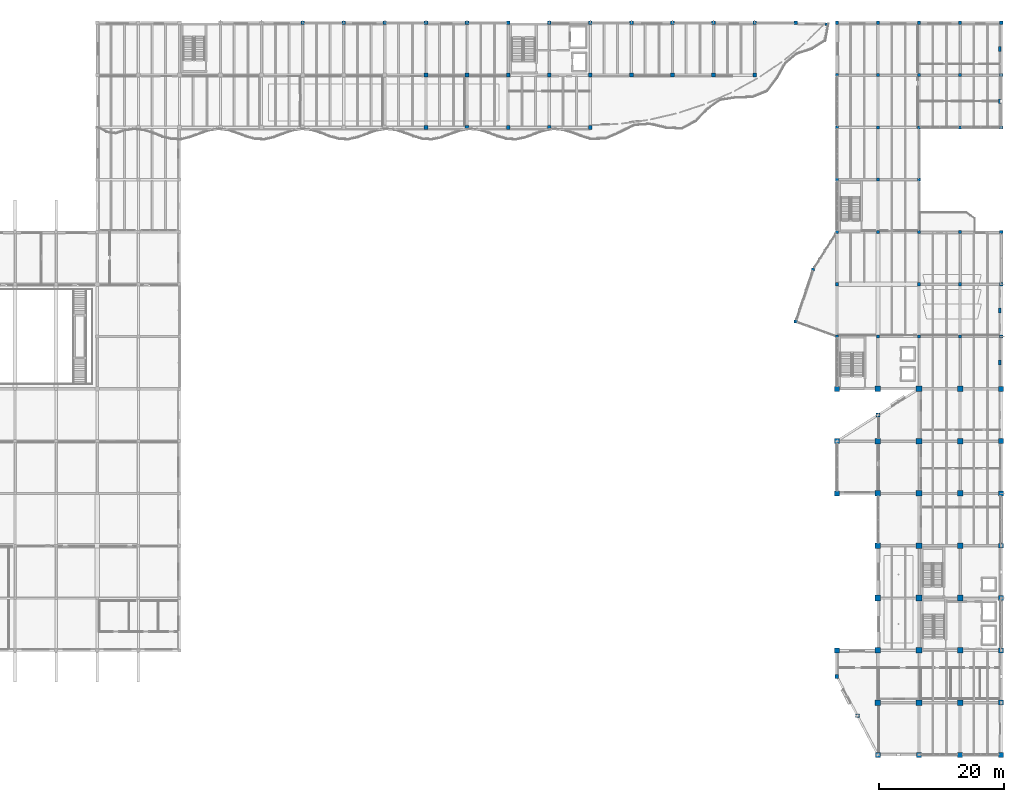
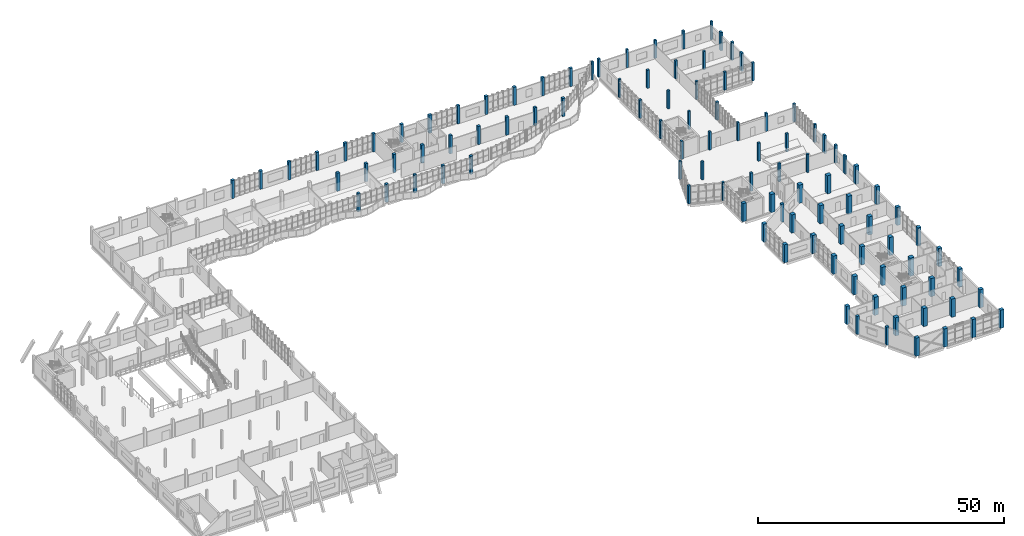
# One storey, part 2 of 76: 105 columns.
"""IFC4 building model written with IfcOpenShell, lengths in metres."""

from ifc_helpers import new_model, si_unit, direction, frame, origin, origin_2d, place, context, subcontext, project, spatial, rectangle, extrude, material, material_profile, profile_set, type_object, element, save


model = new_model("IFC4")

# Units and contexts
model_context = context("Model", 3, precision=1e-05, world=origin(), true_north=direction((0.0, 1.0)))
body_context = subcontext(model_context, "Body", "Model", "MODEL_VIEW")
ifc_project = project(units=[si_unit("LENGTHUNIT", "METRE"), si_unit("AREAUNIT", "SQUARE_METRE"), si_unit("VOLUMEUNIT", "CUBIC_METRE"), si_unit("PLANEANGLEUNIT", "RADIAN"), si_unit("MASSUNIT", "GRAM", prefix="KILO")], contexts=[model_context])

# Site, building, storey
site_placement = place(None, origin())
site = spatial("IfcSite", under=ifc_project, at=site_placement, CompositionType="ELEMENT")
building_placement = place(site_placement, origin())
building = spatial("IfcBuilding", under=site, at=building_placement, Name="Qaldarim Faculty of Natural and Applied Sciences", CompositionType="ELEMENT")
storey_placement = place(building_placement, frame((0.0, 0.0, 9.89990234375)))
storey = spatial("IfcBuildingStorey", under=building, at=storey_placement, Name="L02", CompositionType="ELEMENT", Elevation=9.89990234375)

# Columns
ifc_material_1 = material(Name="Concrete C40/50", Category="concrete")
ifc_material_profile_1 = material_profile(ifc_material_1, rectangle(XDim=0.449951171875, YDim=0.449951171875, at=origin_2d()), Name="RC-C450x450")
ifc_profile_set_1 = profile_set([ifc_material_profile_1], Name="Concrete C40/50")
column_type_1 = type_object("IfcColumnType", Name="Column-RC450x450", PredefinedType="COLUMN", material=ifc_profile_set_1)
column_placement = place(storey_placement, frame((150.14990234375, 117.375, 0.0), z_axis=(0.0, 0.0, 1.0), x_axis=(1.0, 0.0, 0.0)))
element("IfcColumn", 1, at=column_placement, inside=storey, type_object=column_type_1, Name="Special structural column V4-NE L02", PredefinedType="COLUMN", context=body_context, shape_type="SweptSolid", body=[
    extrude(rectangle(XDim=0.449951171875, YDim=0.449951171875, at=origin_2d()), origin(), (0.0, 0.0, 1.0), 4.5),
])
ifc_material_2 = material(Name="Concrete C50/60", Category="concrete")
ifc_material_profile_2 = material_profile(ifc_material_2, rectangle(XDim=0.5, YDim=0.5, at=origin_2d()), Name="RC-C500x500")
ifc_profile_set_2 = profile_set([ifc_material_profile_2], Name="Concrete C50/60")
column_type_2 = type_object("IfcColumnType", Name="Column-RC500x500", PredefinedType="COLUMN", material=ifc_profile_set_2)
for number, where, z_axis, x_axis, name in (
    (2, (151.800048828125, 67.199951171875, 0.0), (0.0, 0.0, 1.0), (1.0, 0.0, 0.0), "Column X24/Y09 L02"),
    (3, (151.800048828125, 75.60009765625, 0.0), (0.0, 0.0, 1.0), (1.0, 0.0, 0.0), "Column X24/Y10 L02"),
    (4, (151.800048828125, 84.0, 0.0), (0.0, 0.0, 1.0), (1.0, 0.0, 0.0), "Column X24/Y11 L02"),
    (5, (151.800048828125, 92.39990234375, 0.0), (0.0, 0.0, 1.0), (1.0, 0.0, 0.0), "Column X24/Y12 L02"),
    (6, (151.800048828125, 100.800048828125, 0.0), (0.0, 0.0, 1.0), (1.0, 0.0, 0.0), "Column X24/Y13 L02"),
    (7, (151.800048828125, 109.199951171875, 0.0), (0.0, 0.0, 1.0), (1.0, 0.0, 0.0), "Column X24/Y14 L02"),
    (8, (151.800048828125, 117.60009765625, 0.0), (0.0, 0.0, 1.0), (1.0, 0.0, 0.0), "Column X24/Y15 L02"),
    (9, (158.39990234375, 67.199951171875, 0.0), (0.0, 0.0, 1.0), (1.0, 0.0, 0.0), "Column X25/Y09 L02"),
    (10, (158.39990234375, 84.0, 0.0), (0.0, 0.0, 1.0), (1.0, 0.0, 0.0), "Column X25/Y11 L02"),
    (11, (158.39990234375, 92.39990234375, 0.0), (0.0, 0.0, 1.0), (1.0, 0.0, 0.0), "Column X25/Y12 L02"),
    (12, (158.39990234375, 100.800048828125, 0.0), (0.0, 0.0, 1.0), (1.0, 0.0, 0.0), "Column X25/Y13 L02"),
    (13, (158.39990234375, 109.199951171875, 0.0), (0.0, 0.0, 1.0), (1.0, 0.0, 0.0), "Column X25/Y14 L02"),
    (14, (158.39990234375, 117.60009765625, 0.0), (0.0, 0.0, 1.0), (1.0, 0.0, 0.0), "Column X25/Y15 L02"),
    (15, (165.0, 67.199951171875, 0.0), (0.0, 0.0, 1.0), (1.0, 0.0, 0.0), "Column X26/Y09 L02"),
    (16, (165.0, 75.60009765625, 0.0), (0.0, 0.0, 1.0), (1.0, 0.0, 0.0), "Column X26/Y10 L02"),
    (17, (165.0, 84.0, 0.0), (0.0, 0.0, 1.0), (1.0, 0.0, 0.0), "Column X26/Y11 L02"),
    (18, (165.0, 92.39990234375, 0.0), (0.0, 0.0, 1.0), (1.0, 0.0, 0.0), "Column X26/Y12 L02"),
    (19, (165.0, 100.800048828125, 0.0), (0.0, 0.0, 1.0), (1.0, 0.0, 0.0), "Column X26/Y13 L02"),
    (20, (165.0, 109.199951171875, 0.0), (0.0, 0.0, 1.0), (1.0, 0.0, 0.0), "Column X26/Y14 L02"),
    (21, (165.0, 117.60009765625, 0.0), (0.0, 0.0, 1.0), (1.0, 0.0, 0.0), "Column X26/Y15 L02"),
    (22, (171.60009765625, 67.199951171875, 0.0), (0.0, 0.0, 1.0), (1.0, 0.0, 0.0), "Column X27/Y09 L02"),
    (23, (171.60009765625, 75.60009765625, 0.0), (0.0, 0.0, 1.0), (1.0, 0.0, 0.0), "Column X27/Y10 L02"),
    (24, (171.60009765625, 84.0, 0.0), (0.0, 0.0, 1.0), (1.0, 0.0, 0.0), "Column X27/Y11 L02"),
    (25, (171.60009765625, 100.800048828125, 0.0), (0.0, 0.0, 1.0), (1.0, 0.0, 0.0), "Column X27/Y13 L02"),
    (26, (171.60009765625, 109.199951171875, 0.0), (0.0, 0.0, 1.0), (1.0, 0.0, 0.0), "Column X27/Y14 L02"),
    (27, (171.60009765625, 117.60009765625, 0.0), (0.0, 0.0, 1.0), (1.0, 0.0, 0.0), "Column X27/Y15 L02"),
    (28, (178.199951171875, 67.199951171875, 0.0), (0.0, 0.0, 1.0), (1.0, 0.0, 0.0), "Column X28/Y09 L02"),
    (29, (178.199951171875, 75.60009765625, 0.0), (0.0, 0.0, 1.0), (1.0, 0.0, 0.0), "Column X28/Y10 L02"),
    (30, (178.199951171875, 84.0, 0.0), (0.0, 0.0, 1.0), (1.0, 0.0, 0.0), "Column X28/Y11 L02"),
    (31, (178.199951171875, 100.800048828125, 0.0), (0.0, 0.0, 1.0), (1.0, 0.0, 0.0), "Column X28/Y13 L02"),
    (32, (178.199951171875, 109.199951171875, 0.0), (0.0, 0.0, 1.0), (1.0, 0.0, 0.0), "Column X28/Y14 L02"),
    (33, (178.199951171875, 117.60009765625, 0.0), (0.0, 0.0, 1.0), (1.0, 0.0, 0.0), "Column X28/Y15 L02"),
    (34, (145.199951171875, 69.60009765625, 0.0), (0.0, 0.0, 1.0), (1.0, 0.0, 0.0), "Special structural column V3-PRW-S L02"),
    (35, (148.0, 78.0, 0.0), (0.0, 0.0, 1.0), (1.0, 0.0, 0.0), "Special structural column V3-PRW-N L02"),
):
    element("IfcColumn", number, at=place(storey_placement, frame(where, z_axis=z_axis, x_axis=x_axis)), inside=storey, type_object=column_type_2, Name=name, PredefinedType="COLUMN", context=body_context, shape_type="SweptSolid", body=[
        extrude(rectangle(XDim=0.5, YDim=0.5, at=origin_2d()), origin(), (0.0, 0.0, 1.0), 4.5),
    ])
ifc_material_profile_3 = material_profile(ifc_material_2, rectangle(XDim=0.60009765625, YDim=0.60009765625, at=origin_2d()), Name="RC-C600x600")
ifc_profile_set_3 = profile_set([ifc_material_profile_3], Name="Concrete C50/60")
column_type_3 = type_object("IfcColumnType", Name="Column-RC600x600", PredefinedType="COLUMN", material=ifc_profile_set_3)
for number, where, z_axis, x_axis, name in (
    (36, (66.0, 117.60009765625, 0.0), (0.0, 0.0, 1.0), (1.0, 0.0, 0.0), "Column X11/Y15 L02"),
    (37, (72.60009765625, 117.60009765625, 0.0), (0.0, 0.0, 1.0), (1.0, 0.0, 0.0), "Column X12/Y15 L02"),
    (38, (79.199951171875, 117.60009765625, 0.0), (0.0, 0.0, 1.0), (1.0, 0.0, 0.0), "Column X13/Y15 L02"),
    (39, (85.800048828125, 100.800048828125, 0.0), (0.0, 0.0, 1.0), (1.0, 0.0, 0.0), "Column X14/Y13 L02"),
    (40, (85.800048828125, 109.199951171875, 0.0), (0.0, 0.0, 1.0), (1.0, 0.0, 0.0), "Column X14/Y14 L02"),
    (41, (85.800048828125, 117.60009765625, 0.0), (0.0, 0.0, 1.0), (1.0, 0.0, 0.0), "Column X14/Y15 L02"),
    (42, (92.39990234375, 100.800048828125, 0.0), (0.0, 0.0, 1.0), (1.0, 0.0, 0.0), "Column X15/Y13 L02"),
    (43, (92.39990234375, 109.199951171875, 0.0), (0.0, 0.0, 1.0), (1.0, 0.0, 0.0), "Column X15/Y14 L02"),
    (44, (92.39990234375, 117.60009765625, 0.0), (0.0, 0.0, 1.0), (1.0, 0.0, 0.0), "Column X15/Y15 L02"),
    (45, (99.0, 100.800048828125, 0.0), (0.0, 0.0, 1.0), (1.0, 0.0, 0.0), "Column X16/Y13 L02"),
    (46, (99.0, 109.199951171875, 0.0), (0.0, 0.0, 1.0), (1.0, 0.0, 0.0), "Column X16/Y14 L02"),
    (47, (99.0, 117.60009765625, 0.0), (0.0, 0.0, 1.0), (1.0, 0.0, 0.0), "Column X16/Y15 L02"),
    (48, (105.60009765625, 100.800048828125, 0.0), (0.0, 0.0, 1.0), (1.0, 0.0, 0.0), "Column X17/Y13 L02"),
    (49, (105.60009765625, 109.199951171875, 0.0), (0.0, 0.0, 1.0), (1.0, 0.0, 0.0), "Column X17/Y14 L02"),
    (50, (105.60009765625, 117.60009765625, 0.0), (0.0, 0.0, 1.0), (1.0, 0.0, 0.0), "Column X17/Y15 L02"),
    (51, (112.199951171875, 100.800048828125, 0.0), (0.0, 0.0, 1.0), (1.0, 0.0, 0.0), "Column X18/Y13 L02"),
    (52, (112.199951171875, 109.199951171875, 0.0), (0.0, 0.0, 1.0), (1.0, 0.0, 0.0), "Column X18/Y14 L02"),
    (53, (112.199951171875, 117.60009765625, 0.0), (0.0, 0.0, 1.0), (1.0, 0.0, 0.0), "Column X18/Y15 L02"),
    (54, (118.800048828125, 109.199951171875, 0.0), (0.0, 0.0, 1.0), (1.0, 0.0, 0.0), "Column X19/Y14 L02"),
    (55, (118.800048828125, 117.60009765625, 0.0), (0.0, 0.0, 1.0), (1.0, 0.0, 0.0), "Column X19/Y15 L02"),
    (56, (125.39990234375, 109.199951171875, 0.0), (0.0, 0.0, 1.0), (1.0, 0.0, 0.0), "Column X20/Y14 L02"),
    (57, (125.39990234375, 117.60009765625, 0.0), (0.0, 0.0, 1.0), (1.0, 0.0, 0.0), "Column X20/Y15 L02"),
    (58, (132.0, 109.199951171875, 0.0), (0.0, 0.0, 1.0), (1.0, 0.0, 0.0), "Column X21/Y14 L02"),
    (59, (132.0, 117.60009765625, 0.0), (0.0, 0.0, 1.0), (1.0, 0.0, 0.0), "Column X21/Y15 L02"),
    (60, (138.60009765625, 109.199951171875, 0.0), (0.0, 0.0, 1.0), (1.0, 0.0, 0.0), "Column X22/Y14 L02"),
    (61, (138.60009765625, 117.60009765625, 0.0), (0.0, 0.0, 1.0), (1.0, 0.0, 0.0), "Column X22/Y15 L02"),
    (62, (145.199951171875, 117.60009765625, 0.0), (0.0, 0.0, 1.0), (1.0, 0.0, 0.0), "Column X23/Y15 L02"),
    (63, (151.800048828125, 12.60009765625, 0.0), (0.0, 0.0, 1.0), (1.0, 0.0, 0.0), "Special structural column V5-SW1 L02"),
    (64, (155.10009765625, 6.300048828125, 0.0), (0.0, 0.0, 1.0), (1.0, 0.0, 0.0), "Special structural column V5-SW2 L02"),
    (65, (158.39990234375, 54.60009765625, 0.0), (0.0, 0.0, 1.0), (1.0, 0.0, 0.0), "Special structural column V5-NW6 L02"),
):
    element("IfcColumn", number, at=place(storey_placement, frame(where, z_axis=z_axis, x_axis=x_axis)), inside=storey, type_object=column_type_3, Name=name, PredefinedType="COLUMN", context=body_context, shape_type="SweptSolid", body=[
        extrude(rectangle(XDim=0.60009765625, YDim=0.60009765625, at=origin_2d()), origin(), (0.0, 0.0, 1.0), 4.5),
    ])
ifc_material_profile_4 = material_profile(ifc_material_2, rectangle(XDim=0.800048828125, YDim=0.800048828125, at=origin_2d()), Name="RC-C800x800")
ifc_profile_set_4 = profile_set([ifc_material_profile_4], Name="Concrete C50/60")
column_type_4 = type_object("IfcColumnType", Name="Column-RC800x800", PredefinedType="COLUMN", material=ifc_profile_set_4)
for number, where, z_axis, x_axis, name in (
    (66, (151.800048828125, 16.800048828125, 0.0), (0.0, 0.0, 1.0), (1.0, 0.0, 0.0), "Column X24/Y03 L02"),
    (67, (151.800048828125, 42.0, 0.0), (0.0, 0.0, 1.0), (1.0, 0.0, 0.0), "Column X24/Y06 L02"),
    (68, (151.800048828125, 50.39990234375, 0.0), (0.0, 0.0, 1.0), (1.0, 0.0, 0.0), "Column X24/Y07 L02"),
    (69, (151.800048828125, 58.800048828125, 0.0), (0.0, 0.0, 1.0), (1.0, 0.0, 0.0), "Column X24/Y08 L02"),
    (70, (158.39990234375, 0.0, 0.0), (0.0, 0.0, 1.0), (1.0, 0.0, 0.0), "Column X25/Y01 L02"),
    (71, (165.0, 0.0, 0.0), (0.0, 0.0, 1.0), (1.0, 0.0, 0.0), "Column X26/Y01 L02"),
    (72, (171.60009765625, 0.0, 0.0), (0.0, 0.0, 1.0), (1.0, 0.0, 0.0), "Column X27/Y01 L02"),
    (73, (178.199951171875, 0.0, 0.0), (0.0, 0.0, 1.0), (1.0, 0.0, 0.0), "Column X28/Y01 L02"),
    (74, (178.199951171875, 8.39990234375, 0.0), (0.0, 0.0, 1.0), (1.0, 0.0, 0.0), "Column X28/Y02 L02"),
    (75, (178.199951171875, 16.800048828125, 0.0), (0.0, 0.0, 1.0), (1.0, 0.0, 0.0), "Column X28/Y03 L02"),
    (76, (178.199951171875, 25.199951171875, 0.0), (0.0, 0.0, 1.0), (1.0, 0.0, 0.0), "Column X28/Y04 L02"),
    (77, (178.199951171875, 33.60009765625, 0.0), (0.0, 0.0, 1.0), (1.0, 0.0, 0.0), "Column X28/Y05 L02"),
    (78, (178.199951171875, 42.0, 0.0), (0.0, 0.0, 1.0), (1.0, 0.0, 0.0), "Column X28/Y06 L02"),
    (79, (178.199951171875, 50.39990234375, 0.0), (0.0, 0.0, 1.0), (1.0, 0.0, 0.0), "Column X28/Y07 L02"),
    (80, (178.199951171875, 58.800048828125, 0.0), (0.0, 0.0, 1.0), (1.0, 0.0, 0.0), "Column X28/Y08 L02"),
):
    element("IfcColumn", number, at=place(storey_placement, frame(where, z_axis=z_axis, x_axis=x_axis)), inside=storey, type_object=column_type_4, Name=name, PredefinedType="COLUMN", context=body_context, shape_type="SweptSolid", body=[
        extrude(rectangle(XDim=0.800048828125, YDim=0.800048828125, at=origin_2d()), origin(), (0.0, 0.0, 1.0), 4.5),
    ])
ifc_material_profile_5 = material_profile(ifc_material_2, rectangle(XDim=0.89990234375, YDim=0.89990234375, at=origin_2d()), Name="RC-C900x900")
ifc_profile_set_5 = profile_set([ifc_material_profile_5], Name="Concrete C50/60")
column_type_5 = type_object("IfcColumnType", Name="Column-RC900x900", PredefinedType="COLUMN", material=ifc_profile_set_5)
for number, where, z_axis, x_axis, name in (
    (81, (158.39990234375, 8.39990234375, 0.0), (0.0, 0.0, 1.0), (1.0, 0.0, 0.0), "Column X25/Y02 L02"),
    (82, (158.39990234375, 16.800048828125, 0.0), (0.0, 0.0, 1.0), (1.0, 0.0, 0.0), "Column X25/Y03 L02"),
    (83, (158.39990234375, 25.199951171875, 0.0), (0.0, 0.0, 1.0), (1.0, 0.0, 0.0), "Column X25/Y04 L02"),
    (84, (158.39990234375, 33.60009765625, 0.0), (0.0, 0.0, 1.0), (1.0, 0.0, 0.0), "Column X25/Y05 L02"),
    (85, (158.39990234375, 42.0, 0.0), (0.0, 0.0, 1.0), (1.0, 0.0, 0.0), "Column X25/Y06 L02"),
    (86, (158.39990234375, 50.39990234375, 0.0), (0.0, 0.0, 1.0), (1.0, 0.0, 0.0), "Column X25/Y07 L02"),
    (87, (158.39990234375, 58.800048828125, 0.0), (0.0, 0.0, 1.0), (1.0, 0.0, 0.0), "Column X25/Y08 L02"),
    (88, (165.0, 8.39990234375, 0.0), (0.0, 0.0, 1.0), (1.0, 0.0, 0.0), "Column X26/Y02 L02"),
    (89, (165.0, 16.800048828125, 0.0), (0.0, 0.0, 1.0), (1.0, 0.0, 0.0), "Column X26/Y03 L02"),
    (90, (165.0, 25.199951171875, 0.0), (0.0, 0.0, 1.0), (1.0, 0.0, 0.0), "Column X26/Y04 L02"),
    (91, (165.0, 33.60009765625, 0.0), (0.0, 0.0, 1.0), (1.0, 0.0, 0.0), "Column X26/Y05 L02"),
    (92, (165.0, 42.0, 0.0), (0.0, 0.0, 1.0), (1.0, 0.0, 0.0), "Column X26/Y06 L02"),
    (93, (165.0, 50.39990234375, 0.0), (0.0, 0.0, 1.0), (1.0, 0.0, 0.0), "Column X26/Y07 L02"),
    (94, (165.0, 58.800048828125, 0.0), (0.0, 0.0, 1.0), (1.0, 0.0, 0.0), "Column X26/Y08 L02"),
    (95, (171.60009765625, 8.39990234375, 0.0), (0.0, 0.0, 1.0), (1.0, 0.0, 0.0), "Column X27/Y02 L02"),
    (96, (171.60009765625, 16.800048828125, 0.0), (0.0, 0.0, 1.0), (1.0, 0.0, 0.0), "Column X27/Y03 L02"),
    (97, (171.60009765625, 25.199951171875, 0.0), (0.0, 0.0, 1.0), (1.0, 0.0, 0.0), "Column X27/Y04 L02"),
    (98, (171.60009765625, 33.60009765625, 0.0), (0.0, 0.0, 1.0), (1.0, 0.0, 0.0), "Column X27/Y05 L02"),
    (99, (171.60009765625, 42.0, 0.0), (0.0, 0.0, 1.0), (1.0, 0.0, 0.0), "Column X27/Y06 L02"),
    (100, (171.60009765625, 50.39990234375, 0.0), (0.0, 0.0, 1.0), (1.0, 0.0, 0.0), "Column X27/Y07 L02"),
    (101, (171.60009765625, 58.800048828125, 0.0), (0.0, 0.0, 1.0), (1.0, 0.0, 0.0), "Column X27/Y08 L02"),
):
    element("IfcColumn", number, at=place(storey_placement, frame(where, z_axis=z_axis, x_axis=x_axis)), inside=storey, type_object=column_type_5, Name=name, PredefinedType="COLUMN", context=body_context, shape_type="SweptSolid", body=[
        extrude(rectangle(XDim=0.89990234375, YDim=0.89990234375, at=origin_2d()), origin(), (0.0, 0.0, 1.0), 4.5),
    ])
ifc_material_profile_6 = material_profile(ifc_material_2, rectangle(XDim=0.449951171875, YDim=0.800048828125, at=origin_2d()), Name="RC-C450x800")
ifc_profile_set_6 = profile_set([ifc_material_profile_6], Name="Concrete C50/60")
column_type_6 = type_object("IfcColumnType", Name="Pilaster-RC450x800", PredefinedType="PILASTER", material=ifc_profile_set_6)
for number, where, z_axis, x_axis, name in (
    (102, (177.97509765625, 63.0, 0.0), (0.0, 0.0, 1.0), (1.0, 0.0, 0.0), "East facade pilaster L02 bay Y08"),
    (103, (177.97509765625, 71.39990234375, 0.0), (0.0, 0.0, 1.0), (1.0, 0.0, 0.0), "East facade pilaster L02 bay Y09"),
    (104, (177.97509765625, 105.0, 0.0), (0.0, 0.0, 1.0), (1.0, 0.0, 0.0), "East facade pilaster L02 bay Y13"),
    (105, (177.97509765625, 113.39990234375, 0.0), (0.0, 0.0, 1.0), (1.0, 0.0, 0.0), "East facade pilaster L02 bay Y14"),
):
    element("IfcColumn", number, at=place(storey_placement, frame(where, z_axis=z_axis, x_axis=x_axis)), inside=storey, type_object=column_type_6, Name=name, PredefinedType="PILASTER", context=body_context, shape_type="SweptSolid", body=[
        extrude(rectangle(XDim=0.449951171875, YDim=0.800048828125, at=origin_2d()), origin(), (0.0, 0.0, 1.0), 4.5),
    ])

save(model, "model.ifc")
